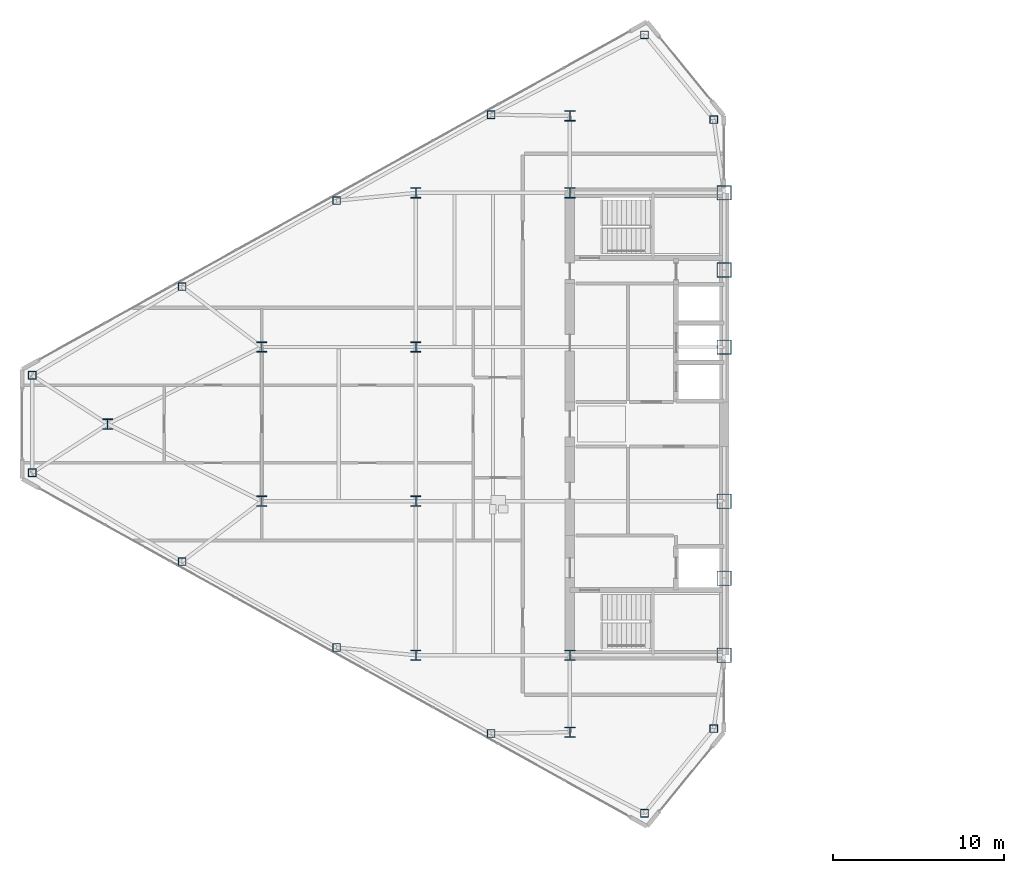
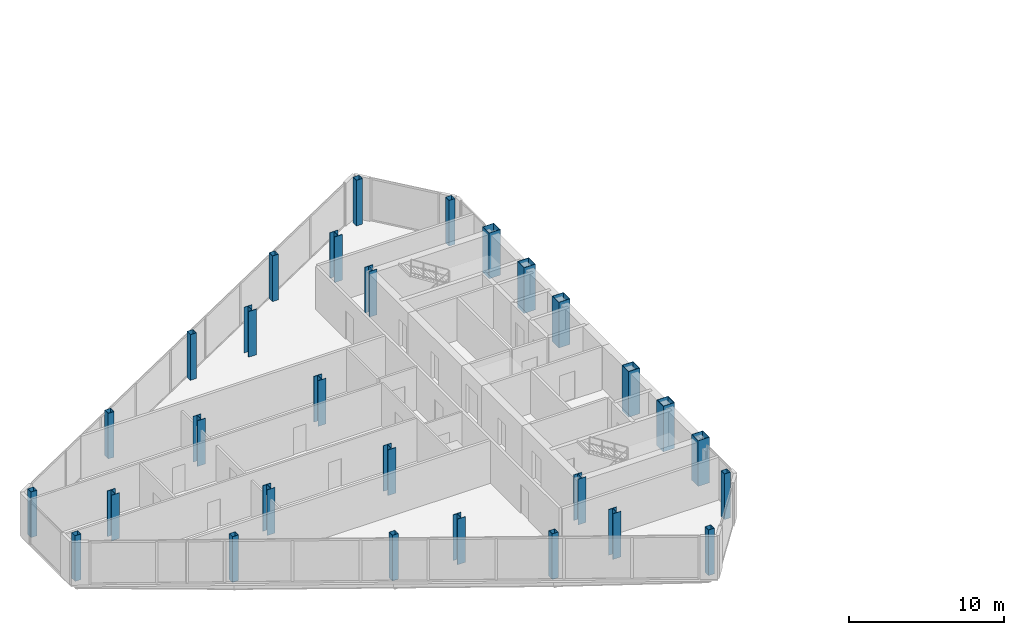
# One storey, part 1 of 25: 29 columns.
"""IFC4 building model written with IfcOpenShell, lengths in metres."""

from ifc_helpers import new_model, si_unit, direction, frame, origin, origin_2d, place, context, subcontext, project, spatial, hollow_rectangle, i_section, extrude, source, transform, mapped, material, material_profile, profile_set, type_object, type_shapes, element, save


model = new_model("IFC4")

# Units and contexts
model_context = context("Model", 3, precision=1e-05, world=origin(), true_north=direction((0.0, 1.0)))
body_context = subcontext(model_context, "Body", "Model", "MODEL_VIEW")
ifc_project = project(units=[si_unit("LENGTHUNIT", "METRE"), si_unit("AREAUNIT", "SQUARE_METRE"), si_unit("VOLUMEUNIT", "CUBIC_METRE"), si_unit("PLANEANGLEUNIT", "RADIAN"), si_unit("MASSUNIT", "GRAM", prefix="KILO")], contexts=[model_context])

# Site, building, storey
site_placement = place(None, origin())
site = spatial("IfcSite", under=ifc_project, at=site_placement, CompositionType="ELEMENT")
building_placement = place(site_placement, origin())
building = spatial("IfcBuilding", under=site, at=building_placement, Name="Seokmaru Belvedere", CompositionType="ELEMENT")
storey_placement = place(building_placement, frame((0.0, 0.0, 188.699951171875)))
storey = spatial("IfcBuildingStorey", under=building, at=storey_placement, Name="L50", CompositionType="ELEMENT", Elevation=188.699951171875)

# Columns
ifc_material_1 = material(Name="Steel SM355 (355 MPa)", Category="steel")
ifc_material_profile_1 = material_profile(ifc_material_1, hollow_rectangle(XDim=0.449951171875, YDim=0.449951171875, WallThickness=0.01806640625, at=origin_2d()), Name="HSS-450x450x18")
ifc_profile_set_1 = profile_set([ifc_material_profile_1], Name="Steel SM355 (355 MPa)")
column_type_1 = type_object("IfcColumnType", Name="Perimeter Facet Column HSS-450", PredefinedType="COLUMN", material=ifc_profile_set_1)
shared_shape_1 = source(origin(), body_context, "Body", "SweptSolid", [
    extrude(hollow_rectangle(XDim=0.449951171875, YDim=0.449951171875, WallThickness=0.01806640625, at=origin_2d()), origin(), (0.0, 0.0, 1.0), 3.60009765625),
])
type_shapes(column_type_1, [shared_shape_1])
for number, where, z_axis, x_axis, name in (
    (1, (-28.10009765625, -17.785888671875, 0.0), (0.0, 0.0, 1.0), (1.0, 0.0, 0.0), "L50 Column WF1"),
    (2, (-28.10009765625, 17.785888671875, 0.0), (0.0, 0.0, 1.0), (1.0, 0.0, 0.0), "L50 Column WF2"),
    (3, (-32.146728515625, 22.731689453125, 0.0), (0.0, 0.0, 1.0), (1.0, 0.0, 0.0), "L50 Column WF3"),
    (4, (-67.89990234375, 2.84716796875, 0.0), (0.0, 0.0, 1.0), (1.0, 0.0, 0.0), "L50 Column WF4"),
    (5, (-67.89990234375, -2.84716796875, 0.0), (0.0, 0.0, 1.0), (1.0, 0.0, 0.0), "L50 Column WF5"),
    (6, (-32.146728515625, -22.731689453125, 0.0), (0.0, 0.0, 1.0), (1.0, 0.0, 0.0), "L50 Column WF6"),
    (7, (-41.103759765625, -18.07080078125, 0.0), (0.0, 0.0, 1.0), (1.0, 0.0, 0.0), "L50 Column WFLK_S1"),
    (8, (-50.129150390625, -13.051025390625, 0.0), (0.0, 0.0, 1.0), (1.0, 0.0, 0.0), "L50 Column WFLK_S2"),
    (9, (-59.154541015625, -8.031494140625, 0.0), (0.0, 0.0, 1.0), (1.0, 0.0, 0.0), "L50 Column WFLK_S3"),
    (10, (-41.103759765625, 18.07080078125, 0.0), (0.0, 0.0, 1.0), (1.0, 0.0, 0.0), "L50 Column WFLK_N1"),
    (11, (-50.129150390625, 13.051025390625, 0.0), (0.0, 0.0, 1.0), (1.0, 0.0, 0.0), "L50 Column WFLK_N2"),
    (12, (-59.154541015625, 8.031494140625, 0.0), (0.0, 0.0, 1.0), (1.0, 0.0, 0.0), "L50 Column WFLK_N3"),
):
    element("IfcColumn", number, at=place(storey_placement, frame(where, z_axis=z_axis, x_axis=x_axis)), inside=storey, type_object=column_type_1, Name=name, PredefinedType="COLUMN", context=body_context, shape_type="MappedRepresentation", body=[
        mapped(shared_shape_1, transform((0.0, 0.0, 0.0), scale=1.0)),
    ])
ifc_material_2 = material(Name="Steel HSA650 (650 MPa)", Category="steel")
ifc_material_profile_2 = material_profile(ifc_material_2, hollow_rectangle(XDim=0.85009765625, YDim=0.85009765625, WallThickness=0.035888671875, at=origin_2d()), Name="BOX-850x850x36")
ifc_profile_set_2 = profile_set([ifc_material_profile_2], Name="Steel HSA650 (650 MPa)")
column_type_2 = type_object("IfcColumnType", Name="Portal Spine Column BOX-850", PredefinedType="COLUMN", material=ifc_profile_set_2)
shared_shape_2 = source(origin(), body_context, "Body", "SweptSolid", [
    extrude(hollow_rectangle(XDim=0.85009765625, YDim=0.85009765625, WallThickness=0.035888671875, at=origin_2d()), origin(), (0.0, 0.0, 1.0), 3.60009765625),
])
type_shapes(column_type_2, [shared_shape_2])
for number, where, z_axis, x_axis, name in (
    (13, (-27.5, -13.5, 0.0), (0.0, 0.0, 1.0), (1.0, 0.0, 0.0), "L50 Column WS1"),
    (14, (-27.5, -9.0, 0.0), (0.0, 0.0, 1.0), (1.0, 0.0, 0.0), "L50 Column WS2"),
    (15, (-27.5, -4.5, 0.0), (0.0, 0.0, 1.0), (1.0, 0.0, 0.0), "L50 Column WS3"),
    (16, (-27.5, 4.5, 0.0), (0.0, 0.0, 1.0), (1.0, 0.0, 0.0), "L50 Column WS4"),
    (17, (-27.5, 9.0, 0.0), (0.0, 0.0, 1.0), (1.0, 0.0, 0.0), "L50 Column WS5"),
    (18, (-27.5, 13.5, 0.0), (0.0, 0.0, 1.0), (1.0, 0.0, 0.0), "L50 Column WS6"),
):
    element("IfcColumn", number, at=place(storey_placement, frame(where, z_axis=z_axis, x_axis=x_axis)), inside=storey, type_object=column_type_2, Name=name, PredefinedType="COLUMN", context=body_context, shape_type="MappedRepresentation", body=[
        mapped(shared_shape_2, transform((0.0, 0.0, 0.0), scale=1.0)),
    ])
ifc_material_profile_3 = material_profile(ifc_material_1, i_section(OverallWidth=0.60009765625, OverallDepth=0.60009765625, WebThickness=0.02490234375, FlangeThickness=0.0400390625, at=origin_2d()), Name="H-600x600x25x40")
ifc_profile_set_3 = profile_set([ifc_material_profile_3], Name="Steel SM355 (355 MPa)")
column_type_3 = type_object("IfcColumnType", Name="Upper-Mid Interior Column H-600", PredefinedType="COLUMN", material=ifc_profile_set_3)
shared_shape_3 = source(origin(), body_context, "Body", "SweptSolid", [
    extrude(i_section(OverallWidth=0.60009765625, OverallDepth=0.60009765625, WebThickness=0.02490234375, FlangeThickness=0.0400390625, at=origin_2d()), origin(), (0.0, 0.0, 1.0), 3.60009765625),
])
type_shapes(column_type_3, [shared_shape_3])
for number, where, z_axis, x_axis, name in (
    (19, (-36.5, -18.0, 0.0), (0.0, 0.0, 1.0), (1.0, 0.0, 0.0), "L50 Column WC1"),
    (20, (-36.5, -13.5, 0.0), (0.0, 0.0, 1.0), (1.0, 0.0, 0.0), "L50 Column WC2"),
    (21, (-36.5, 13.5, 0.0), (0.0, 0.0, 1.0), (1.0, 0.0, 0.0), "L50 Column WC3"),
    (22, (-36.5, 18.0, 0.0), (0.0, 0.0, 1.0), (1.0, 0.0, 0.0), "L50 Column WC4"),
    (23, (-45.5, -13.5, 0.0), (0.0, 0.0, 1.0), (1.0, 0.0, 0.0), "L50 Column WG5_1"),
    (24, (-45.5, -4.5, 0.0), (0.0, 0.0, 1.0), (1.0, 0.0, 0.0), "L50 Column WG5_2"),
    (25, (-45.5, 4.5, 0.0), (0.0, 0.0, 1.0), (1.0, 0.0, 0.0), "L50 Column WG5_3"),
    (26, (-45.5, 13.5, 0.0), (0.0, 0.0, 1.0), (1.0, 0.0, 0.0), "L50 Column WG5_4"),
    (27, (-54.5, -4.5, 0.0), (0.0, 0.0, 1.0), (1.0, 0.0, 0.0), "L50 Column WG4P_1"),
    (28, (-54.5, 4.5, 0.0), (0.0, 0.0, 1.0), (1.0, 0.0, 0.0), "L50 Column WG4P_2"),
    (29, (-63.5, 0.0, 0.0), (0.0, 0.0, 1.0), (1.0, 0.0, 0.0), "L50 Column WG3P_1"),
):
    element("IfcColumn", number, at=place(storey_placement, frame(where, z_axis=z_axis, x_axis=x_axis)), inside=storey, type_object=column_type_3, Name=name, PredefinedType="COLUMN", context=body_context, shape_type="MappedRepresentation", body=[
        mapped(shared_shape_3, transform((0.0, 0.0, 0.0), scale=1.0)),
    ])

save(model, "model.ifc")
